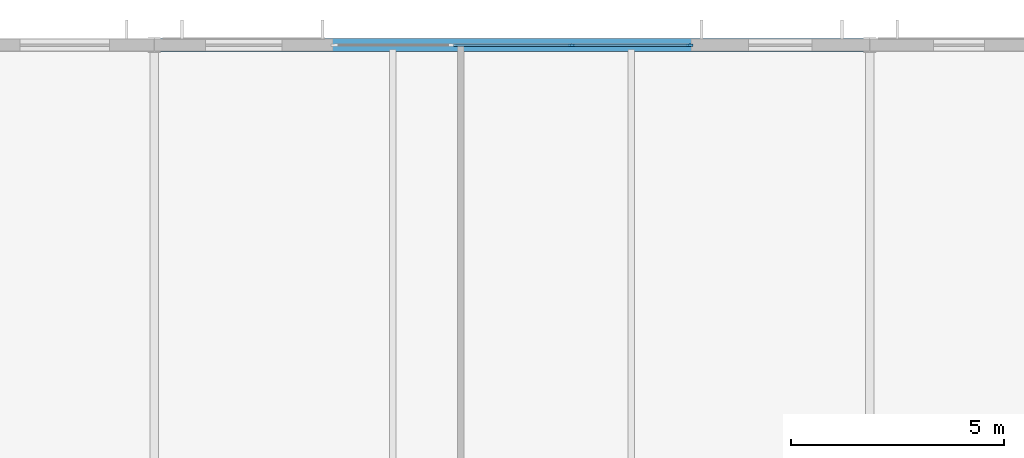
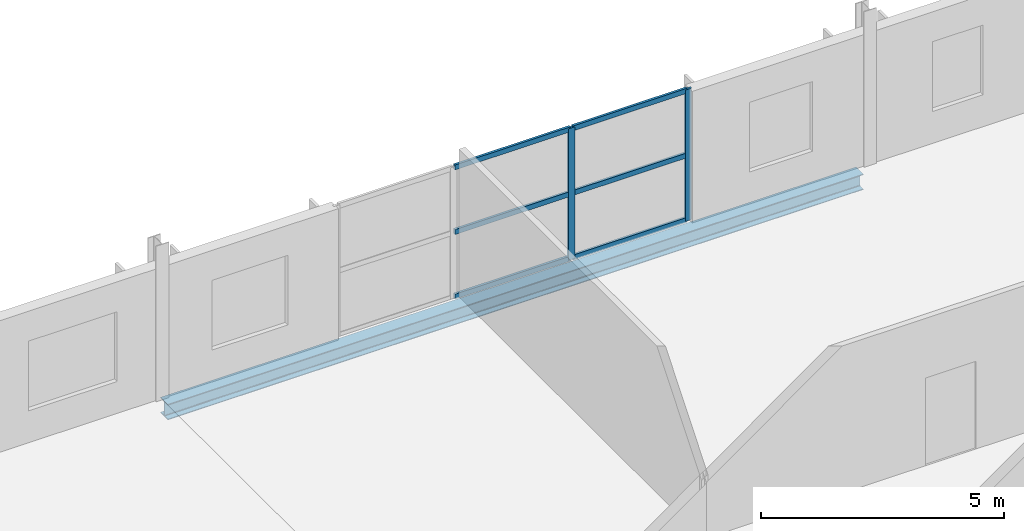
# One storey, part 10 of 18: 8 members, 1 beam, 1 element without a shape of its own.
"""IFC4 building model written with IfcOpenShell, lengths in metres."""

from ifc_helpers import new_model, si_unit, direction, frame, origin, origin_2d, place, context, subcontext, project, spatial, rectangle, i_section, extrude, material, material_profile, profile_set, type_object, element, aggregate, save


model = new_model("IFC4")

# Units and contexts
model_context = context("Model", 3, precision=1e-05, world=origin(), true_north=direction((0.0, 1.0)))
body_context = subcontext(model_context, "Body", "Model", "MODEL_VIEW")
ifc_project = project(units=[si_unit("LENGTHUNIT", "METRE"), si_unit("AREAUNIT", "SQUARE_METRE"), si_unit("VOLUMEUNIT", "CUBIC_METRE"), si_unit("PLANEANGLEUNIT", "RADIAN"), si_unit("MASSUNIT", "GRAM", prefix="KILO")], contexts=[model_context])

# Site, building, storey
site_placement = place(None, origin())
site = spatial("IfcSite", under=ifc_project, at=site_placement, CompositionType="ELEMENT")
building_placement = place(site_placement, origin())
building = spatial("IfcBuilding", under=site, at=building_placement, Name="Kimbaza Rail Terminus", CompositionType="ELEMENT")
storey_placement = place(building_placement, frame((0.0, 0.0, 24.89990234375)))
storey = spatial("IfcBuildingStorey", under=building, at=storey_placement, Name="L05", CompositionType="ELEMENT", Elevation=24.89990234375)

# Curtain wall, members
ifc_material_1 = material(Name="Anodised aluminium framing and solar low-E glazing", Category="aluminium")
curtain_wall_type = type_object("IfcCurtainWallType", Name="ARC-CW-OP2", PredefinedType="USERDEFINED", material=ifc_material_1)
curtain_wall_placement = place(storey_placement, origin())
curtain_wall = element("IfcCurtainWall", 1, at=curtain_wall_placement, inside=storey, type_object=curtain_wall_type, Name="Operations North Curtain Wall L05 Bay 3", ObjectType="STICK CURTAIN WALL", PredefinedType="USERDEFINED")
ifc_material_2 = material(Name="Anodised architectural aluminium", Category="aluminium")
ifc_material_profile_1 = material_profile(ifc_material_2, rectangle(XDim=0.05810546875, YDim=0.14990234375, at=origin_2d()), Name="MULLION 58x150")
ifc_profile_set_1 = profile_set([ifc_material_profile_1], Name="Anodised architectural aluminium")
member_type_1 = type_object("IfcMemberType", Name="ARC-CWM-06", PredefinedType="MULLION", material=ifc_profile_set_1)
member_1_placement = place(storey_placement, frame((115.39990234375, 133.0, 0.0), z_axis=(0.0, 0.0, 1.0), x_axis=(0.0, 1.0, 0.0)))
member_1 = element("IfcMember", 2, at=member_1_placement, type_object=member_type_1, Name="CW-06 mullion 3", PredefinedType="MULLION", context=body_context, shape_type="SweptSolid", body=[
    extrude(rectangle(XDim=0.05810546875, YDim=0.14990234375, at=origin_2d()), origin(), (0.0, 0.0, 1.0), 3.300048828125),
])
member_2_placement = place(storey_placement, frame((118.1708984375, 133.0, 0.0), z_axis=(0.0, 0.0, 1.0), x_axis=(0.0, 1.0, 0.0)))
member_2 = element("IfcMember", 3, at=member_2_placement, type_object=member_type_1, Name="CW-06 mullion 4", PredefinedType="MULLION", context=body_context, shape_type="SweptSolid", body=[
    extrude(rectangle(XDim=0.05810546875, YDim=0.14990234375, at=origin_2d()), origin(), (0.0, 0.0, 1.0), 3.300048828125),
])
ifc_material_3 = material(Name="Anodised architectural aluminium", Category="aluminium")
ifc_material_profile_2 = material_profile(ifc_material_3, rectangle(XDim=0.05810546875, YDim=0.125, at=origin_2d()), Name="TRANSOM 58x125")
ifc_profile_set_2 = profile_set([ifc_material_profile_2], Name="Anodised architectural aluminium")
member_type_2 = type_object("IfcMemberType", Name="ARC-CWT-06", PredefinedType="USERDEFINED", material=ifc_profile_set_2)
member_3_placement = place(storey_placement, frame((112.62890625, 133.0, 0.029052734375), z_axis=(1.0, 0.0, 0.0), x_axis=(0.0, 1.0, 0.0)))
member_3 = element("IfcMember", 4, at=member_3_placement, type_object=member_type_2, Name="CW-06 transom 2.1", ObjectType="TRANSOM", PredefinedType="USERDEFINED", context=body_context, shape_type="SweptSolid", body=[
    extrude(rectangle(XDim=0.05810546875, YDim=0.125, at=origin_2d()), origin(), (0.0, 0.0, 1.0), 2.7421875),
])
member_4_placement = place(storey_placement, frame((112.62890625, 133.0, 1.650146484375), z_axis=(1.0, 0.0, 0.0), x_axis=(0.0, 1.0, 0.0)))
member_4 = element("IfcMember", 5, at=member_4_placement, type_object=member_type_2, Name="CW-06 transom 2.2", ObjectType="TRANSOM", PredefinedType="USERDEFINED", context=body_context, shape_type="SweptSolid", body=[
    extrude(rectangle(XDim=0.05810546875, YDim=0.125, at=origin_2d()), origin(), (0.0, 0.0, 1.0), 2.7421875),
])
member_5_placement = place(storey_placement, frame((112.62890625, 133.0, 3.27099609375), z_axis=(1.0, 0.0, 0.0), x_axis=(0.0, 1.0, 0.0)))
member_5 = element("IfcMember", 6, at=member_5_placement, type_object=member_type_2, Name="CW-06 transom 2.3", ObjectType="TRANSOM", PredefinedType="USERDEFINED", context=body_context, shape_type="SweptSolid", body=[
    extrude(rectangle(XDim=0.05810546875, YDim=0.125, at=origin_2d()), origin(), (0.0, 0.0, 1.0), 2.7421875),
])
member_6_placement = place(storey_placement, frame((115.428955078125, 133.0, 0.029052734375), z_axis=(1.0, 0.0, 0.0), x_axis=(0.0, 1.0, 0.0)))
member_6 = element("IfcMember", 7, at=member_6_placement, type_object=member_type_2, Name="CW-06 transom 3.1", ObjectType="TRANSOM", PredefinedType="USERDEFINED", context=body_context, shape_type="SweptSolid", body=[
    extrude(rectangle(XDim=0.05810546875, YDim=0.125, at=origin_2d()), origin(), (0.0, 0.0, 1.0), 2.713134765625),
])
member_7_placement = place(storey_placement, frame((115.428955078125, 133.0, 1.650146484375), z_axis=(1.0, 0.0, 0.0), x_axis=(0.0, 1.0, 0.0)))
member_7 = element("IfcMember", 8, at=member_7_placement, type_object=member_type_2, Name="CW-06 transom 3.2", ObjectType="TRANSOM", PredefinedType="USERDEFINED", context=body_context, shape_type="SweptSolid", body=[
    extrude(rectangle(XDim=0.05810546875, YDim=0.125, at=origin_2d()), origin(), (0.0, 0.0, 1.0), 2.713134765625),
])
member_8_placement = place(storey_placement, frame((115.428955078125, 133.0, 3.27099609375), z_axis=(1.0, 0.0, 0.0), x_axis=(0.0, 1.0, 0.0)))
member_8 = element("IfcMember", 9, at=member_8_placement, type_object=member_type_2, Name="CW-06 transom 3.3", ObjectType="TRANSOM", PredefinedType="USERDEFINED", context=body_context, shape_type="SweptSolid", body=[
    extrude(rectangle(XDim=0.05810546875, YDim=0.125, at=origin_2d()), origin(), (0.0, 0.0, 1.0), 2.713134765625),
])
aggregate(curtain_wall, [member_1, member_2, member_3, member_4, member_5, member_6, member_7, member_8])

# Beam
ifc_material_4 = material(Name="Steel S355", Category="steel")
ifc_material_profile_3 = material_profile(ifc_material_4, i_section(OverallWidth=0.300048828125, OverallDepth=0.389892578125, WebThickness=0.010986328125, FlangeThickness=0.01904296875, FilletRadius=0.027099609375, at=origin_2d()), Name="HEA 400")
ifc_profile_set_3 = profile_set([ifc_material_profile_3], Name="Steel S355")
beam_type = type_object("IfcBeamType", Name="STR-BM-HEA400", PredefinedType="SPANDREL", material=ifc_profile_set_3)
beam_placement = place(storey_placement, frame((105.74609375, 133.0, -0.385009765625), z_axis=(1.0, 0.0, 0.0), x_axis=(0.0, 1.0, 0.0)))
element("IfcBeam", 10, at=beam_placement, inside=storey, type_object=beam_type, Name="Operations Girder L05 X2-Y2", PredefinedType="SPANDREL", context=body_context, shape_type="SweptSolid", body=[
    extrude(i_section(OverallWidth=0.300048828125, OverallDepth=0.389892578125, WebThickness=0.010986328125, FlangeThickness=0.01904296875, FilletRadius=0.027099609375, at=origin_2d()), origin(), (0.0, 0.0, 1.0), 16.5078125),
])

save(model, "model.ifc")
